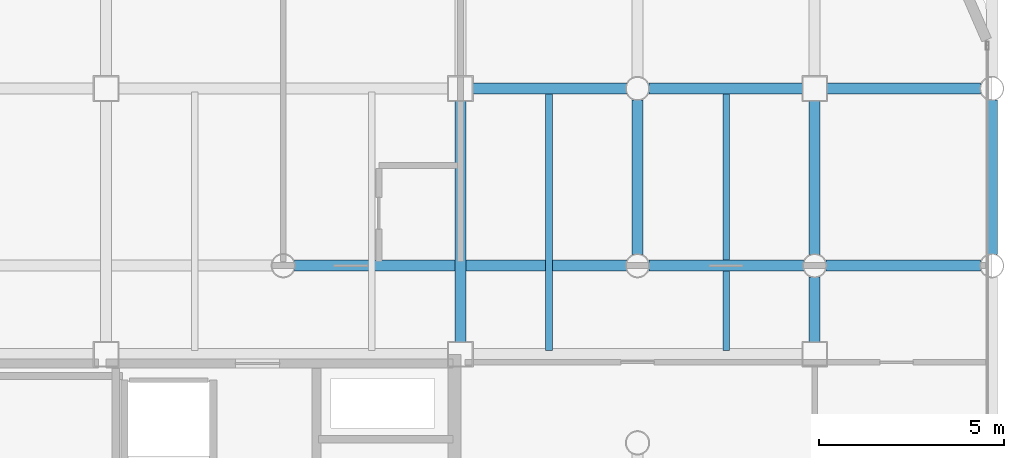
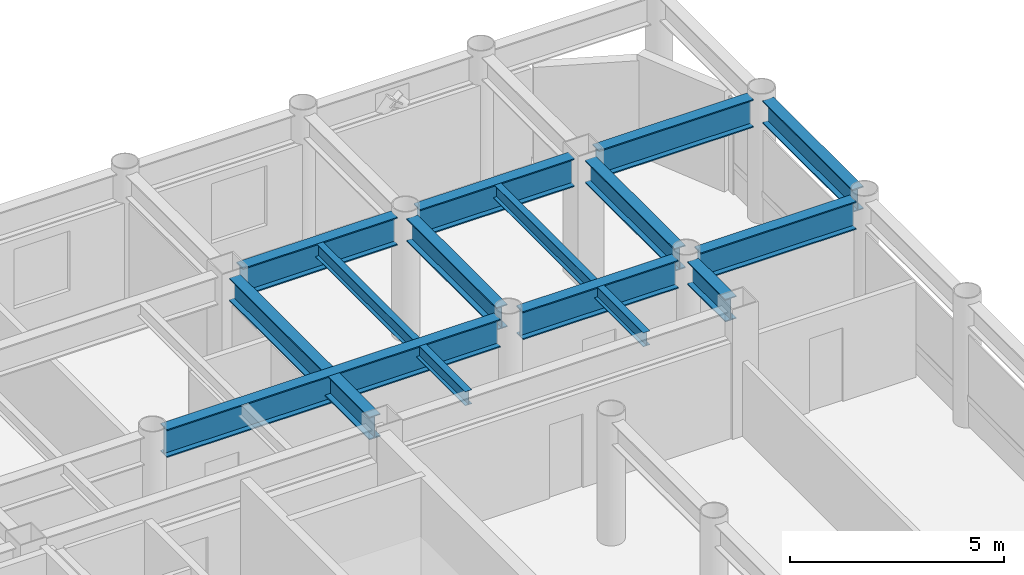
# One storey, part 13 of 19: 13 beams.
"""IFC4 building model written with IfcOpenShell, lengths in metres."""

from ifc_helpers import new_model, si_unit, direction, frame, origin, origin_2d, place, context, subcontext, project, spatial, i_section, extrude, material, material_profile, profile_set, type_object, element, save


model = new_model("IFC4")

# Units and contexts
model_context = context("Model", 3, precision=1e-05, world=origin(), true_north=direction((0.0, 1.0)))
body_context = subcontext(model_context, "Body", "Model", "MODEL_VIEW")
ifc_project = project(units=[si_unit("LENGTHUNIT", "METRE"), si_unit("AREAUNIT", "SQUARE_METRE"), si_unit("VOLUMEUNIT", "CUBIC_METRE"), si_unit("PLANEANGLEUNIT", "RADIAN"), si_unit("MASSUNIT", "GRAM", prefix="KILO")], contexts=[model_context])

# Site, building, storey
site_placement = place(None, origin())
site = spatial("IfcSite", under=ifc_project, at=site_placement, CompositionType="ELEMENT")
building_placement = place(site_placement, origin())
building = spatial("IfcBuilding", under=site, at=building_placement, Name="Kallvorn Hotel Tower", CompositionType="ELEMENT")
storey_placement = place(building_placement, frame((0.0, 0.0, 169.199951171875)))
storey = spatial("IfcBuildingStorey", under=building, at=storey_placement, Name="L42", CompositionType="ELEMENT", Elevation=169.199951171875)

# Beams
ifc_material_1 = material(Name="Structural steel S355JR", Category="steel")
ifc_material_profile_1 = material_profile(ifc_material_1, i_section(OverallWidth=0.300048828125, OverallDepth=0.64990234375, WebThickness=0.01611328125, FlangeThickness=0.031005859375, at=origin_2d()), Name="HE 650 B")
ifc_profile_set_1 = profile_set([ifc_material_profile_1], Name="Structural steel S355JR")
beam_type_1 = type_object("IfcBeamType", Name="BM_HE650B", PredefinedType="BEAM", material=ifc_profile_set_1)
beam_1_placement = place(storey_placement, frame((14.39990234375, 7.52490234375, 3.195068359375), z_axis=(0.0, 1.0, 0.0), x_axis=(-1.0, 0.0, 0.0)))
element("IfcBeam", 1, at=beam_1_placement, inside=storey, type_object=beam_type_1, Name="L43 Primary Y-Girder 125", PredefinedType="BEAM", context=body_context, shape_type="SweptSolid", body=[
    extrude(i_section(OverallWidth=0.300048828125, OverallDepth=0.64990234375, WebThickness=0.01611328125, FlangeThickness=0.031005859375, at=origin_2d()), origin(), (0.0, 0.0, 1.0), 6.550048828125),
])
beam_2_placement = place(storey_placement, frame((19.199951171875, 9.905029296875, 3.195068359375), z_axis=(0.0, 1.0, 0.0), x_axis=(-1.0, 0.0, 0.0)))
element("IfcBeam", 2, at=beam_2_placement, inside=storey, type_object=beam_type_1, Name="L43 Primary Y-Girder 134", PredefinedType="BEAM", context=body_context, shape_type="SweptSolid", body=[
    extrude(i_section(OverallWidth=0.300048828125, OverallDepth=0.64990234375, WebThickness=0.01611328125, FlangeThickness=0.031005859375, at=origin_2d()), origin(), (0.0, 0.0, 1.0), 4.18994140625),
])
beam_3_placement = place(storey_placement, frame((24.0, 7.52490234375, 3.195068359375), z_axis=(0.0, 1.0, 0.0), x_axis=(-1.0, 0.0, 0.0)))
element("IfcBeam", 3, at=beam_3_placement, inside=storey, type_object=beam_type_1, Name="L43 Primary Y-Girder 140", PredefinedType="BEAM", context=body_context, shape_type="SweptSolid", body=[
    extrude(i_section(OverallWidth=0.300048828125, OverallDepth=0.64990234375, WebThickness=0.01611328125, FlangeThickness=0.031005859375, at=origin_2d()), origin(), (0.0, 0.0, 1.0), 1.77001953125),
])
beam_4_placement = place(storey_placement, frame((24.0, 9.905029296875, 3.195068359375), z_axis=(0.0, 1.0, 0.0), x_axis=(-1.0, 0.0, 0.0)))
element("IfcBeam", 4, at=beam_4_placement, inside=storey, type_object=beam_type_1, Name="L43 Primary Y-Girder 141", PredefinedType="BEAM", context=body_context, shape_type="SweptSolid", body=[
    extrude(i_section(OverallWidth=0.300048828125, OverallDepth=0.64990234375, WebThickness=0.01611328125, FlangeThickness=0.031005859375, at=origin_2d()), origin(), (0.0, 0.0, 1.0), 4.169921875),
])
beam_5_placement = place(storey_placement, frame((28.800048828125, 9.905029296875, 3.195068359375), z_axis=(0.0, 1.0, 0.0), x_axis=(-1.0, 0.0, 0.0)))
element("IfcBeam", 5, at=beam_5_placement, inside=storey, type_object=beam_type_1, Name="L43 Primary Y-Girder 149", PredefinedType="BEAM", context=body_context, shape_type="SweptSolid", body=[
    extrude(i_section(OverallWidth=0.300048828125, OverallDepth=0.64990234375, WebThickness=0.01611328125, FlangeThickness=0.031005859375, at=origin_2d()), origin(), (0.0, 0.0, 1.0), 4.18994140625),
])
ifc_material_2 = material(Name="Structural steel S355JR", Category="steel")
ifc_material_profile_2 = material_profile(ifc_material_2, i_section(OverallWidth=0.300048828125, OverallDepth=0.800048828125, WebThickness=0.017578125, FlangeThickness=0.032958984375, at=origin_2d()), Name="HE 800 B")
ifc_profile_set_2 = profile_set([ifc_material_profile_2], Name="Structural steel S355JR")
beam_type_2 = type_object("IfcBeamType", Name="BM_HE800B", PredefinedType="BEAM", material=ifc_profile_set_2)
beam_6_placement = place(storey_placement, frame((9.905029296875, 9.60009765625, 3.1201171875), z_axis=(1.0, 0.0, 0.0), x_axis=(0.0, 1.0, 0.0)))
element("IfcBeam", 6, at=beam_6_placement, inside=storey, type_object=beam_type_2, Name="L43 Primary X-Girder 48", PredefinedType="BEAM", context=body_context, shape_type="SweptSolid", body=[
    extrude(i_section(OverallWidth=0.300048828125, OverallDepth=0.800048828125, WebThickness=0.017578125, FlangeThickness=0.032958984375, at=origin_2d()), origin(), (0.0, 0.0, 1.0), 8.989990234375),
])
for number, where, z_axis, x_axis, name in (
    (7, (19.5048828125, 9.60009765625, 3.1201171875), (1.0, 0.0, 0.0), (0.0, 1.0, 0.0), "L43 Primary X-Girder 49"),
    (8, (24.304931640625, 9.60009765625, 3.1201171875), (1.0, 0.0, 0.0), (0.0, 1.0, 0.0), "L43 Primary X-Girder 50"),
):
    element("IfcBeam", number, at=place(storey_placement, frame(where, z_axis=z_axis, x_axis=x_axis)), inside=storey, type_object=beam_type_2, Name=name, PredefinedType="BEAM", context=body_context, shape_type="SweptSolid", body=[
        extrude(i_section(OverallWidth=0.300048828125, OverallDepth=0.800048828125, WebThickness=0.017578125, FlangeThickness=0.032958984375, at=origin_2d()), origin(), (0.0, 0.0, 1.0), 4.190185546875),
    ])
beam_7_placement = place(storey_placement, frame((14.72509765625, 14.39990234375, 3.1201171875), z_axis=(1.0, 0.0, 0.0), x_axis=(0.0, 1.0, 0.0)))
element("IfcBeam", 9, at=beam_7_placement, inside=storey, type_object=beam_type_2, Name="L43 Primary X-Girder 58", PredefinedType="BEAM", context=body_context, shape_type="SweptSolid", body=[
    extrude(i_section(OverallWidth=0.300048828125, OverallDepth=0.800048828125, WebThickness=0.017578125, FlangeThickness=0.032958984375, at=origin_2d()), origin(), (0.0, 0.0, 1.0), 4.169921875),
])
for number, where, z_axis, x_axis, name in (
    (10, (19.5048828125, 14.39990234375, 3.1201171875), (1.0, 0.0, 0.0), (0.0, 1.0, 0.0), "L43 Primary X-Girder 59"),
    (11, (24.324951171875, 14.39990234375, 3.1201171875), (1.0, 0.0, 0.0), (0.0, 1.0, 0.0), "L43 Primary X-Girder 60"),
):
    element("IfcBeam", number, at=place(storey_placement, frame(where, z_axis=z_axis, x_axis=x_axis)), inside=storey, type_object=beam_type_2, Name=name, PredefinedType="BEAM", context=body_context, shape_type="SweptSolid", body=[
        extrude(i_section(OverallWidth=0.300048828125, OverallDepth=0.800048828125, WebThickness=0.017578125, FlangeThickness=0.032958984375, at=origin_2d()), origin(), (0.0, 0.0, 1.0), 4.170166015625),
    ])
ifc_material_3 = material(Name="Structural steel S355JR", Category="steel")
ifc_material_profile_3 = material_profile(ifc_material_3, i_section(OverallWidth=0.179931640625, OverallDepth=0.39990234375, WebThickness=0.008544921875, FlangeThickness=0.013427734375, at=origin_2d()), Name="IPE 400")
ifc_profile_set_3 = profile_set([ifc_material_profile_3], Name="Structural steel S355JR")
beam_type_3 = type_object("IfcBeamType", Name="BM_IPE400", PredefinedType="JOIST", material=ifc_profile_set_3)
for number, where, z_axis, x_axis, name in (
    (12, (16.800048828125, 7.300048828125, 3.320068359375), (0.0, 1.0, 0.0), (-1.0, 0.0, 0.0), "L43 Secondary Composite Joist 207"),
    (13, (21.60009765625, 7.300048828125, 3.320068359375), (0.0, 1.0, 0.0), (-1.0, 0.0, 0.0), "L43 Secondary Composite Joist 209"),
):
    element("IfcBeam", number, at=place(storey_placement, frame(where, z_axis=z_axis, x_axis=x_axis)), inside=storey, type_object=beam_type_3, Name=name, PredefinedType="JOIST", context=body_context, shape_type="SweptSolid", body=[
        extrude(i_section(OverallWidth=0.179931640625, OverallDepth=0.39990234375, WebThickness=0.008544921875, FlangeThickness=0.013427734375, at=origin_2d()), origin(), (0.0, 0.0, 1.0), 7.0),
    ])

save(model, "model.ifc")
